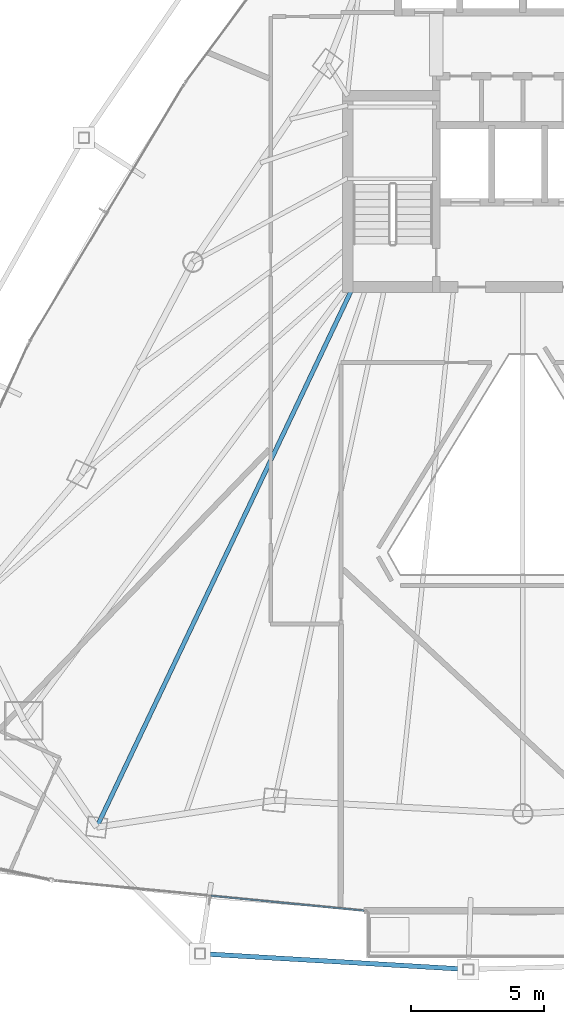
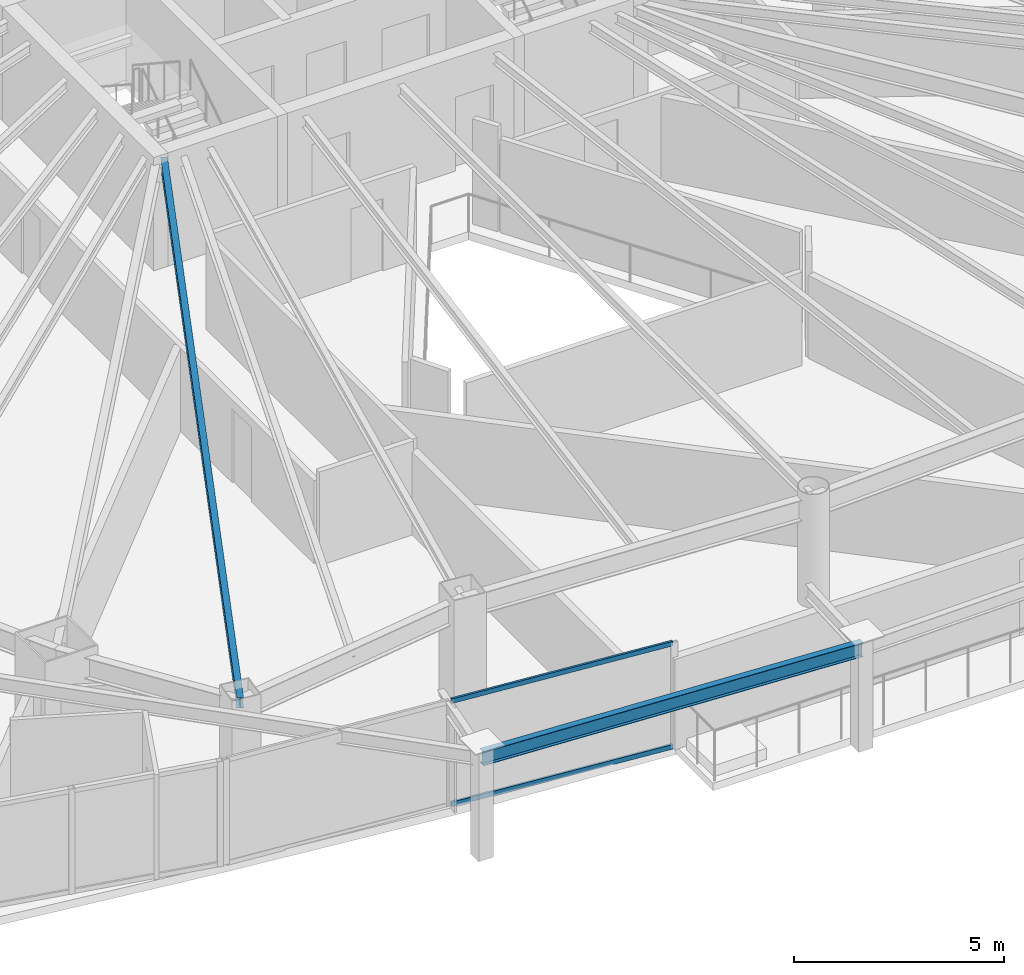
# One storey, part 5 of 31: 2 beams, 2 members, 1 element without a shape of its own.
"""IFC4 building model written with IfcOpenShell, lengths in metres."""

from ifc_helpers import new_model, si_unit, direction, frame, origin, origin_2d, place, context, subcontext, project, spatial, hollow_rectangle, i_section, extrude, material, layer, layer_set, material_profile, profile_set, type_object, element, aggregate, save


model = new_model("IFC4")

# Units and contexts
model_context = context("Model", 3, precision=1e-05, world=origin(), true_north=direction((0.0, 1.0)))
body_context = subcontext(model_context, "Body", "Model", "MODEL_VIEW")
ifc_project = project(units=[si_unit("LENGTHUNIT", "METRE"), si_unit("AREAUNIT", "SQUARE_METRE"), si_unit("VOLUMEUNIT", "CUBIC_METRE"), si_unit("PLANEANGLEUNIT", "RADIAN"), si_unit("MASSUNIT", "GRAM", prefix="KILO")], contexts=[model_context])

# Site, building, storey
site_placement = place(None, origin())
site = spatial("IfcSite", under=ifc_project, at=site_placement, CompositionType="ELEMENT")
building_placement = place(site_placement, origin())
building = spatial("IfcBuilding", under=site, at=building_placement, Name="Orvanel Arch Residences", CompositionType="ELEMENT")
storey_placement = place(building_placement, frame((0.0, 0.0, 133.10009765625)))
storey = spatial("IfcBuildingStorey", under=building, at=storey_placement, Name="L37", CompositionType="ELEMENT", Elevation=133.10009765625)

# Beams
ifc_material_1 = material(Name="Structural steel AS/NZS 3679.1 Grade 300 (300 MPa)", Category="steel")
ifc_material_profile_1 = material_profile(ifc_material_1, i_section(OverallWidth=0.1650390625, OverallDepth=0.303955078125, WebThickness=0.006103515625, FlangeThickness=0.01025390625, at=origin_2d()), Name="310UB40.4")
ifc_profile_set_1 = profile_set([ifc_material_profile_1], Name="Structural steel AS/NZS 3679.1 Grade 300 (300 MPa)")
beam_type_1 = type_object("IfcBeamType", Name="BJ-310UB", PredefinedType="JOIST", material=ifc_profile_set_1)
beam_1_placement = place(storey_placement, frame((26.60009765625, 26.699951171875, 2.907958984375), z_axis=(-0.428614365266, -0.903487534993, 0.0), x_axis=(0.903487534993, -0.428614365266, 0.0)))
element("IfcBeam", 1, at=beam_1_placement, inside=storey, type_object=beam_type_1, Name="L37 MSW Wing Floor Joist", PredefinedType="JOIST", context=body_context, shape_type="SweptSolid", body=[
    extrude(i_section(OverallWidth=0.1650390625, OverallDepth=0.303955078125, WebThickness=0.006103515625, FlangeThickness=0.01025390625, at=origin_2d()), origin(), (0.0, 0.0, 1.0), 22.535888671875),
])
ifc_material_profile_2 = material_profile(ifc_material_1, i_section(OverallWidth=0.177978515625, OverallDepth=0.406005859375, WebThickness=0.0078125, FlangeThickness=0.0126953125, at=origin_2d()), Name="410UB59.7")
ifc_profile_set_2 = profile_set([ifc_material_profile_2], Name="Structural steel AS/NZS 3679.1 Grade 300 (300 MPa)")
beam_type_2 = type_object("IfcBeamType", Name="OB-410UB-EXT", PredefinedType="SPANDREL", material=ifc_profile_set_2)
beam_2_placement = place(storey_placement, frame((20.8359375, 1.572021484375, 2.85693359375), z_axis=(0.998284168197, -0.058555269, 0.0), x_axis=(0.058555269, 0.998284168197, 0.0)))
element("IfcBeam", 2, at=beam_2_placement, inside=storey, type_object=beam_type_2, Name="L37 Outer Perimeter Floor Ring Beam 05", PredefinedType="SPANDREL", context=body_context, shape_type="SweptSolid", body=[
    extrude(i_section(OverallWidth=0.177978515625, OverallDepth=0.406005859375, WebThickness=0.0078125, FlangeThickness=0.0126953125, at=origin_2d()), origin(), (0.0, 0.0, 1.0), 10.12744140625),
])

# Curtain wall, members
ifc_material_2 = material(Name="Bronze-anodised aluminium AA6063-T6", Category="aluminium")
ifc_layer = layer(ifc_material_2, 0.179931640625)
ifc_layer_set = layer_set([ifc_layer], Name="Bronze-anodised aluminium AA6063-T6")
curtain_wall_type = type_object("IfcCurtainWallType", Name="CW3-MID-SYS", PredefinedType="NOTDEFINED", material=ifc_layer_set)
curtain_wall_placement = place(storey_placement, origin())
curtain_wall = element("IfcCurtainWall", 3, at=curtain_wall_placement, inside=storey, type_object=curtain_wall_type, Name="L37 CW3-MID-SYS Unitised Curtain Wall", PredefinedType="NOTDEFINED")
ifc_material_profile_3 = material_profile(ifc_material_2, hollow_rectangle(XDim=0.06005859375, YDim=0.135009765625, WallThickness=0.00390625, at=origin_2d()), Name="ALU135x60x4")
ifc_profile_set_3 = profile_set([ifc_material_profile_3], Name="Bronze-anodised aluminium AA6063-T6")
member_type = type_object("IfcMemberType", Name="TRN-135x60", PredefinedType="USERDEFINED", material=ifc_profile_set_3)
member_1_placement = place(storey_placement, frame((21.245361328125, 3.752685546875, 0.02978515625), z_axis=(0.995342586227, -0.096400913086, 0.0), x_axis=(0.096400913086, 0.995342586227, 0.0)))
member_1 = element("IfcMember", 4, at=member_1_placement, type_object=member_type, Name="CW-S3 transom 2.1", ObjectType="TRANSOM", PredefinedType="USERDEFINED", context=body_context, shape_type="SweptSolid", body=[
    extrude(hollow_rectangle(XDim=0.06005859375, YDim=0.135009765625, WallThickness=0.00390625, at=origin_2d()), origin(), (0.0, 0.0, 1.0), 5.797119140625),
])
member_2_placement = place(storey_placement, frame((21.245361328125, 3.752685546875, 3.02978515625), z_axis=(0.995342586227, -0.096400913086, 0.0), x_axis=(0.096400913086, 0.995342586227, 0.0)))
member_2 = element("IfcMember", 5, at=member_2_placement, type_object=member_type, Name="CW-S3 transom 2.2", ObjectType="TRANSOM", PredefinedType="USERDEFINED", context=body_context, shape_type="SweptSolid", body=[
    extrude(hollow_rectangle(XDim=0.06005859375, YDim=0.135009765625, WallThickness=0.00390625, at=origin_2d()), origin(), (0.0, 0.0, 1.0), 5.797119140625),
])
aggregate(curtain_wall, [member_1, member_2])

save(model, "model.ifc")
